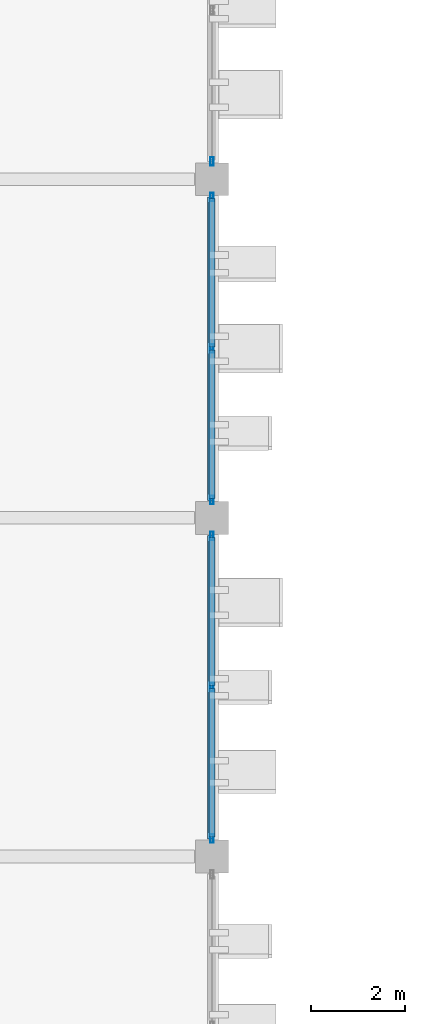
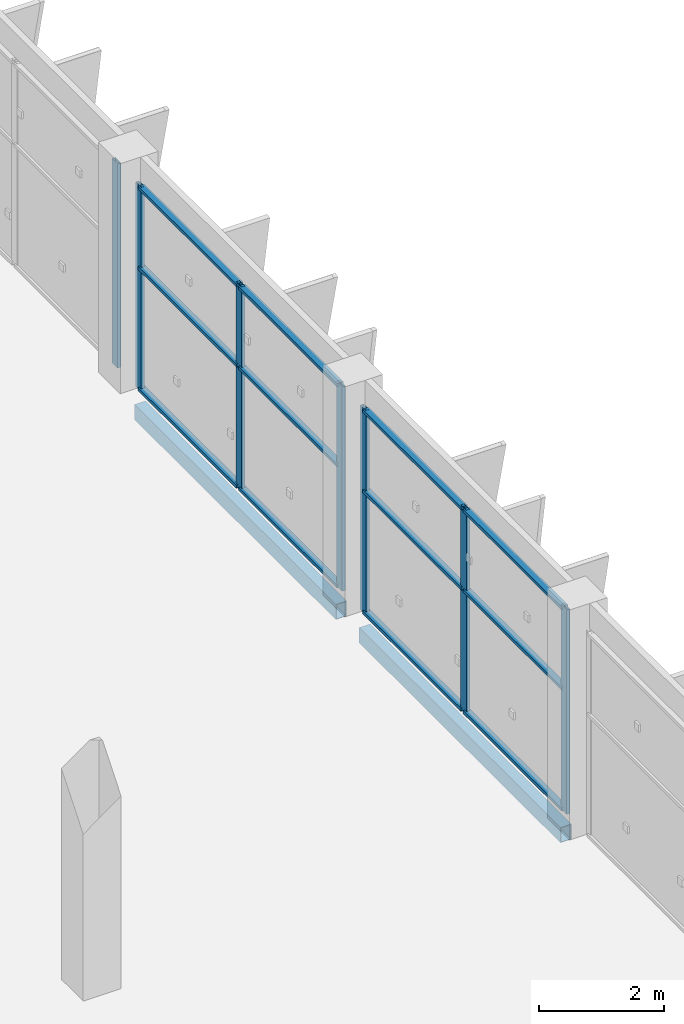
# One storey, part 54 of 151: 19 members, 2 beams, 3 elements without a shape of their own.
"""IFC4 building model written with IfcOpenShell, lengths in metres."""

import ifcopenshell
import ifcopenshell.guid

model = None  # the IFC model being written
_history = None  # IfcOwnerHistory: only IFC2X3 demands one
_inside = {}  # id of a spatial element -> (the spatial element, [elements in it])
_under = {}  # id of a project, library or spatial element -> (it, [spatial elements below it])
_declared = {}  # id of a project -> (the project, [libraries it declares])
_typed = {}  # id of a type object -> (the type object, [elements of that type])
_made_of = {}  # id of a material, layer set ... -> (it, [elements and type objects made of it])


def new_model(schema):
    """Start an empty IFC model of exactly this schema.

    Asked for "IFC4X3", IfcOpenShell would pick the latest addendum, in which some entities
    have other attributes; the version numbers below select the first issue.
    IFC2X3 requires an IfcOwnerHistory on every rooted entity: one is made here for all.
    """
    global model, _history
    if schema == "IFC4X3":
        model = ifcopenshell.file(schema_version=(4, 3, 0, 0))
    else:
        model = ifcopenshell.file(schema=schema)
    _inside.clear()
    _under.clear()
    _declared.clear()
    _typed.clear()
    _made_of.clear()
    _history = None
    if model.schema == "IFC2X3":
        org = make("IfcOrganization", Name="unknown")
        user = make(
            "IfcPersonAndOrganization",
            ThePerson=make("IfcPerson", FamilyName="unknown"),
            TheOrganization=org,
        )
        app = make(
            "IfcApplication",
            ApplicationDeveloper=org,
            Version="unknown",
            ApplicationFullName="unknown",
            ApplicationIdentifier="unknown",
        )
        _history = make(
            "IfcOwnerHistory",
            OwningUser=user,
            OwningApplication=app,
            ChangeAction="ADDED",
            CreationDate=0,
        )
    return model


def make(cls, **values):
    """One entity of the class cls with the attributes given. An attribute that is None is left unset."""
    return model.create_entity(
        cls, **{name: value for name, value in values.items() if value is not None}
    )


def rooted(cls, **values):
    """An entity with a GlobalId (a new one), such as an element, a storey or a relation."""
    return make(cls, GlobalId=ifcopenshell.guid.new(), OwnerHistory=_history, **values)


def si_unit(unit_type, name, prefix=None):
    """IfcSIUnit, for example si_unit("LENGTHUNIT", "METRE", prefix="MILLI")."""
    return make("IfcSIUnit", UnitType=unit_type, Prefix=prefix, Name=name)


def assignment(units):
    """IfcUnitAssignment: the units of a project."""
    return None if units is None else make("IfcUnitAssignment", Units=units)


def point(xyz):
    """IfcCartesianPoint."""
    return None if xyz is None else make("IfcCartesianPoint", Coordinates=xyz)


def direction(xyz):
    """IfcDirection."""
    return None if xyz is None else make("IfcDirection", DirectionRatios=xyz)


def frame(location, z_axis=None, x_axis=None):
    """IfcAxis2Placement3D, a coordinate frame: its origin and axes. An axis left out is left unset."""
    return make(
        "IfcAxis2Placement3D",
        Location=point(location),
        Axis=direction(z_axis),
        RefDirection=direction(x_axis),
    )


def frame_2d(location, x_axis=None):
    """IfcAxis2Placement2D, a coordinate frame in the plane: its origin and x axis."""
    return make(
        "IfcAxis2Placement2D", Location=point(location), RefDirection=direction(x_axis)
    )


def origin():
    """The frame at (0, 0, 0) with its axes left unset."""
    return frame((0.0, 0.0, 0.0))


def origin_2d():
    """The frame at (0, 0) in the plane with its x axis left unset."""
    return frame_2d((0.0, 0.0))


def place(relative_to, where):
    """IfcLocalPlacement: puts the frame where relative to a parent placement (None: the world)."""
    return make(
        "IfcLocalPlacement", PlacementRelTo=relative_to, RelativePlacement=where
    )


def context(
    kind, dimensions, precision=None, world=None, true_north=None, identifier=None
):
    """IfcGeometricRepresentationContext, for example the 3D "Model" context."""
    return make(
        "IfcGeometricRepresentationContext",
        ContextIdentifier=identifier,
        ContextType=kind,
        CoordinateSpaceDimension=dimensions,
        Precision=precision,
        WorldCoordinateSystem=world,
        TrueNorth=true_north,
    )


def subcontext(parent, identifier, kind, view, scale=None):
    """IfcGeometricRepresentationSubContext, for example "Body" below "Model"."""
    return make(
        "IfcGeometricRepresentationSubContext",
        ContextIdentifier=identifier,
        ContextType=kind,
        ParentContext=parent,
        TargetScale=scale,
        TargetView=view,
    )


def project(units=None, contexts=None):
    """IfcProject with its units and contexts."""
    return rooted(
        "IfcProject",
        Name="project",
        RepresentationContexts=contexts,
        UnitsInContext=assignment(units),
    )


def spatial(cls, under=None, at=None, **own):
    """A site, building, storey or space (cls), placed at a placement, below another one or the project."""
    s = rooted(cls, ObjectPlacement=at, **own)
    if under is not None:
        _under.setdefault(under.id(), (under, []))[1].append(s)
    return s


def profile(cls, at=None, kind="AREA", **sizes):
    """A parametric profile (cls). Its sizes go by their IFC names, for example OverallWidth=200.0."""
    return make(cls, ProfileType=kind, Position=at, **sizes)


def hollow_rectangle(**sizes):
    """IfcRectangleHollowProfileDef."""
    return profile("IfcRectangleHollowProfileDef", **sizes)


def extrude(swept, where, along, depth):
    """IfcExtrudedAreaSolid: the profile swept, set in the frame where, extruded along a direction by depth."""
    return make(
        "IfcExtrudedAreaSolid",
        SweptArea=swept,
        Position=where,
        ExtrudedDirection=direction(along),
        Depth=depth,
    )


def shape(context_of_items, identifier, shape_type, items):
    """IfcShapeRepresentation: the items that make up one representation, for example the "Body"."""
    return make(
        "IfcShapeRepresentation",
        ContextOfItems=context_of_items,
        RepresentationIdentifier=identifier,
        RepresentationType=shape_type,
        Items=items,
    )


def material(Name=None, Category=None):
    """IfcMaterial."""
    return make("IfcMaterial", Name=Name, Category=Category)


def layer(
    of_material, thickness, ventilated=None, Name=None, Category=None, Priority=None
):
    """IfcMaterialLayer: one layer of a wall or slab, of a material (None: an air gap)."""
    return make(
        "IfcMaterialLayer",
        Material=of_material,
        LayerThickness=thickness,
        IsVentilated=ventilated,
        Name=Name,
        Category=Category,
        Priority=Priority,
    )


def layer_set(layers, Name=None):
    """IfcMaterialLayerSet."""
    return make("IfcMaterialLayerSet", MaterialLayers=layers, LayerSetName=Name)


def material_profile(
    of_material, cross_section, Name=None, Category=None, Priority=None
):
    """IfcMaterialProfile: a cross section and its material."""
    return make(
        "IfcMaterialProfile",
        Name=Name,
        Material=of_material,
        Profile=cross_section,
        Priority=Priority,
        Category=Category,
    )


def profile_set(profiles, Name=None, composite=None):
    """IfcMaterialProfileSet."""
    return make(
        "IfcMaterialProfileSet",
        Name=Name,
        MaterialProfiles=profiles,
        CompositeProfile=composite,
    )


def made_of(thing, what):
    """Note that an element or type object is made of a material, layer set ...; save() writes the relation."""
    if what is not None:
        _made_of.setdefault(what.id(), (what, []))[1].append(thing)
    return thing


def type_object(cls, material=None, **own):
    """A type object (cls), such as IfcWallType, which elements share."""
    return made_of(rooted(cls, **own), material)


def element(
    cls,
    number,
    at=None,
    inside=None,
    cuts=None,
    type_object=None,
    material=None,
    context=None,
    identifier="Body",
    shape_type=None,
    held_by="IfcProductDefinitionShape",
    body=None,
    shapes=None,
    **own,
):
    """One element of the class cls, such as IfcWall. Its Tag is "e" and its number.

    at: its placement. inside: the storey or other place that contains it. cuts: it is an
    opening in that element (IfcRelVoidsElement). A single representation is given by context,
    identifier, shape_type and body (its items); several are given by shapes. held_by: the class
    of the entity that holds the representations. save() writes the other relations.
    """
    e = rooted(cls, Tag="e%d" % number, ObjectPlacement=at, **own)
    if body is not None:
        shapes = [shape(context, identifier, shape_type, body)]
    if shapes is not None:
        e.Representation = make(held_by, Representations=shapes)
    if inside is not None:
        _inside.setdefault(inside.id(), (inside, []))[1].append(e)
    if cuts is not None:
        rooted(
            "IfcRelVoidsElement", RelatingBuildingElement=cuts, RelatedOpeningElement=e
        )
    if type_object is not None:
        _typed.setdefault(type_object.id(), (type_object, []))[1].append(e)
    return made_of(e, material)


def aggregate(whole, parts):
    """IfcRelAggregates: a whole, such as a stair, and the parts it consists of."""
    return rooted("IfcRelAggregates", RelatingObject=whole, RelatedObjects=parts)


def save(model, path):
    """Write the relations noted so far, then the file.

    IfcRelAggregates (storeys below a building ...), IfcRelContainedInSpatialStructure (elements
    in a storey), IfcRelDefinesByType, IfcRelAssociatesMaterial and IfcRelDeclares: one each for
    every whole, place, type object, material and project.
    """
    for whole, parts in _under.values():
        aggregate(whole, parts)
    for where, things in _inside.values():
        rooted(
            "IfcRelContainedInSpatialStructure",
            RelatedElements=things,
            RelatingStructure=where,
        )
    for kind, things in _typed.values():
        rooted("IfcRelDefinesByType", RelatedObjects=things, RelatingType=kind)
    for what, things in _made_of.values():
        rooted("IfcRelAssociatesMaterial", RelatedObjects=things, RelatingMaterial=what)
    for by, libraries in _declared.values():
        rooted("IfcRelDeclares", RelatingContext=by, RelatedDefinitions=libraries)
    model.write(path)


model = new_model("IFC4")

# Units and contexts
model_context = context("Model", 3, precision=1e-05, world=origin(), true_north=direction((0.0, 1.0)))
body_context = subcontext(model_context, "Body", "Model", "MODEL_VIEW")
ifc_project = project(units=[si_unit("LENGTHUNIT", "METRE"), si_unit("AREAUNIT", "SQUARE_METRE"), si_unit("VOLUMEUNIT", "CUBIC_METRE"), si_unit("PLANEANGLEUNIT", "RADIAN"), si_unit("MASSUNIT", "GRAM", prefix="KILO")], contexts=[model_context])

# Site, building, storey
site_placement = place(None, origin())
site = spatial("IfcSite", under=ifc_project, at=site_placement, CompositionType="ELEMENT")
building_placement = place(site_placement, origin())
building = spatial("IfcBuilding", under=site, at=building_placement, Name="Celestram Park Convention Centre", CompositionType="ELEMENT")
storey_placement = place(building_placement, frame((0.0, 0.0, 10.800048828125)))
storey = spatial("IfcBuildingStorey", under=building, at=storey_placement, Name="L02", CompositionType="ELEMENT", Elevation=10.800048828125)

# Curtain wall, member
ifc_material_1 = material(Name="Anodised Aluminium Alloy 6063-T6", Category="aluminium")
ifc_layer = layer(ifc_material_1, 0.179931640625)
ifc_layer_set = layer_set([ifc_layer], Name="Anodised Aluminium Alloy 6063-T6")
curtain_wall_type = type_object("IfcCurtainWallType", Name="ARC-CW-650X400", PredefinedType="NOTDEFINED", material=ifc_layer_set)
curtain_wall_1_placement = place(storey_placement, origin())
curtain_wall_1 = element("IfcCurtainWall", 1, at=curtain_wall_1_placement, inside=storey, type_object=curtain_wall_type, Name="Unitised curtain wall CU-L02-184", PredefinedType="NOTDEFINED")
ifc_material_profile_1 = material_profile(ifc_material_1, hollow_rectangle(XDim=0.06494140625, YDim=0.179931640625, WallThickness=0.00390625, at=origin_2d()), Name="ALU65X180X4")
ifc_profile_set_1 = profile_set([ifc_material_profile_1], Name="Anodised Aluminium Alloy 6063-T6")
member_type_1 = type_object("IfcMemberType", Name="ARC-CWM-150", PredefinedType="MULLION", material=ifc_profile_set_1)
member_1_placement = place(storey_placement, frame((144.0, 93.98046875, 0.0), z_axis=(0.0, 0.0, 1.0), x_axis=(1.0, 0.0, 0.0)))
member_1 = element("IfcMember", 2, at=member_1_placement, type_object=member_type_1, Name="CW-65X40 mullion 3", PredefinedType="MULLION", context=body_context, shape_type="SweptSolid", body=[
    extrude(hollow_rectangle(XDim=0.06494140625, YDim=0.179931640625, WallThickness=0.00390625, at=origin_2d()), origin(), (0.0, 0.0, 1.0), 4.0),
])
aggregate(curtain_wall_1, [member_1])

# Curtain wall, members
curtain_wall_2_placement = place(storey_placement, origin())
curtain_wall_2 = element("IfcCurtainWall", 3, at=curtain_wall_2_placement, inside=storey, type_object=curtain_wall_type, Name="Unitised curtain wall CU-L02-185", PredefinedType="NOTDEFINED")
member_2_placement = place(storey_placement, frame((144.0, 93.219482421875, 0.0), z_axis=(0.0, 0.0, 1.0), x_axis=(1.0, 0.0, 0.0)))
member_2 = element("IfcMember", 4, at=member_2_placement, type_object=member_type_1, Name="CW-65X40 mullion 1", PredefinedType="MULLION", context=body_context, shape_type="SweptSolid", body=[
    extrude(hollow_rectangle(XDim=0.06494140625, YDim=0.179931640625, WallThickness=0.00390625, at=origin_2d()), origin(), (0.0, 0.0, 1.0), 4.0),
])
member_3_placement = place(storey_placement, frame((144.0, 90.0, 0.0), z_axis=(0.0, 0.0, 1.0), x_axis=(1.0, 0.0, 0.0)))
member_3 = element("IfcMember", 5, at=member_3_placement, type_object=member_type_1, Name="CW-65X40 mullion 2", PredefinedType="MULLION", context=body_context, shape_type="SweptSolid", body=[
    extrude(hollow_rectangle(XDim=0.06494140625, YDim=0.179931640625, WallThickness=0.00390625, at=origin_2d()), origin(), (0.0, 0.0, 1.0), 4.0),
])
member_4_placement = place(storey_placement, frame((144.0, 86.780517578125, 0.0), z_axis=(0.0, 0.0, 1.0), x_axis=(1.0, 0.0, 0.0)))
member_4 = element("IfcMember", 6, at=member_4_placement, type_object=member_type_1, Name="CW-65X40 mullion 3", PredefinedType="MULLION", context=body_context, shape_type="SweptSolid", body=[
    extrude(hollow_rectangle(XDim=0.06494140625, YDim=0.179931640625, WallThickness=0.00390625, at=origin_2d()), origin(), (0.0, 0.0, 1.0), 4.0),
])

curtain_wall_3_placement = place(storey_placement, origin())
curtain_wall_3 = element("IfcCurtainWall", 7, at=curtain_wall_3_placement, inside=storey, type_object=curtain_wall_type, Name="Unitised curtain wall CU-L02-186", PredefinedType="NOTDEFINED")
member_5_placement = place(storey_placement, frame((144.0, 86.01953125, 0.0), z_axis=(0.0, 0.0, 1.0), x_axis=(1.0, 0.0, 0.0)))
member_5 = element("IfcMember", 8, at=member_5_placement, type_object=member_type_1, Name="CW-65X40 mullion 1", PredefinedType="MULLION", context=body_context, shape_type="SweptSolid", body=[
    extrude(hollow_rectangle(XDim=0.06494140625, YDim=0.179931640625, WallThickness=0.00390625, at=origin_2d()), origin(), (0.0, 0.0, 1.0), 4.0),
])
member_6_placement = place(storey_placement, frame((144.0, 82.800048828125, 0.0), z_axis=(0.0, 0.0, 1.0), x_axis=(1.0, 0.0, 0.0)))
member_6 = element("IfcMember", 9, at=member_6_placement, type_object=member_type_1, Name="CW-65X40 mullion 2", PredefinedType="MULLION", context=body_context, shape_type="SweptSolid", body=[
    extrude(hollow_rectangle(XDim=0.06494140625, YDim=0.179931640625, WallThickness=0.00390625, at=origin_2d()), origin(), (0.0, 0.0, 1.0), 4.0),
])
member_7_placement = place(storey_placement, frame((144.0, 79.58056640625, 0.0), z_axis=(0.0, 0.0, 1.0), x_axis=(1.0, 0.0, 0.0)))
member_7 = element("IfcMember", 10, at=member_7_placement, type_object=member_type_1, Name="CW-65X40 mullion 3", PredefinedType="MULLION", context=body_context, shape_type="SweptSolid", body=[
    extrude(hollow_rectangle(XDim=0.06494140625, YDim=0.179931640625, WallThickness=0.00390625, at=origin_2d()), origin(), (0.0, 0.0, 1.0), 4.0),
])

# Member
ifc_material_profile_2 = material_profile(ifc_material_1, hollow_rectangle(XDim=0.1201171875, YDim=0.06005859375, WallThickness=0.0029296875, at=origin_2d()), Name="ALU120X60X3")
ifc_profile_set_2 = profile_set([ifc_material_profile_2], Name="Anodised Aluminium Alloy 6063-T6")
member_type_2 = type_object("IfcMemberType", Name="ARC-CWT-120", PredefinedType="USERDEFINED", material=ifc_profile_set_2)
member_8_placement = place(storey_placement, frame((144.0, 93.18701171875, 0.030029296875), z_axis=(0.0, -1.0, 0.0), x_axis=(1.0, 0.0, 0.0)))
member_8 = element("IfcMember", 11, at=member_8_placement, type_object=member_type_2, Name="CW-65X40 transom 1.1", ObjectType="TRANSOM", PredefinedType="USERDEFINED", context=body_context, shape_type="SweptSolid", body=[
    extrude(hollow_rectangle(XDim=0.1201171875, YDim=0.06005859375, WallThickness=0.0029296875, at=origin_2d()), origin(), (0.0, 0.0, 1.0), 3.154541015625),
])

member_9_placement = place(storey_placement, frame((144.0, 93.18701171875, 2.39990234375), z_axis=(0.0, -1.0, 0.0), x_axis=(1.0, 0.0, 0.0)))
member_9 = element("IfcMember", 12, at=member_9_placement, type_object=member_type_2, Name="CW-65X40 transom 1.2", ObjectType="TRANSOM", PredefinedType="USERDEFINED", context=body_context, shape_type="SweptSolid", body=[
    extrude(hollow_rectangle(XDim=0.1201171875, YDim=0.06005859375, WallThickness=0.0029296875, at=origin_2d()), origin(), (0.0, 0.0, 1.0), 3.154541015625),
])

member_10_placement = place(storey_placement, frame((144.0, 93.18701171875, 3.969970703125), z_axis=(0.0, -1.0, 0.0), x_axis=(1.0, 0.0, 0.0)))
member_10 = element("IfcMember", 13, at=member_10_placement, type_object=member_type_2, Name="CW-65X40 transom 1.3", ObjectType="TRANSOM", PredefinedType="USERDEFINED", context=body_context, shape_type="SweptSolid", body=[
    extrude(hollow_rectangle(XDim=0.1201171875, YDim=0.06005859375, WallThickness=0.0029296875, at=origin_2d()), origin(), (0.0, 0.0, 1.0), 3.154541015625),
])

member_11_placement = place(storey_placement, frame((144.0, 89.967529296875, 0.030029296875), z_axis=(0.0, -1.0, 0.0), x_axis=(1.0, 0.0, 0.0)))
member_11 = element("IfcMember", 14, at=member_11_placement, type_object=member_type_2, Name="CW-65X40 transom 2.1", ObjectType="TRANSOM", PredefinedType="USERDEFINED", context=body_context, shape_type="SweptSolid", body=[
    extrude(hollow_rectangle(XDim=0.1201171875, YDim=0.06005859375, WallThickness=0.0029296875, at=origin_2d()), origin(), (0.0, 0.0, 1.0), 3.154541015625),
])

member_12_placement = place(storey_placement, frame((144.0, 89.967529296875, 2.39990234375), z_axis=(0.0, -1.0, 0.0), x_axis=(1.0, 0.0, 0.0)))
member_12 = element("IfcMember", 15, at=member_12_placement, type_object=member_type_2, Name="CW-65X40 transom 2.2", ObjectType="TRANSOM", PredefinedType="USERDEFINED", context=body_context, shape_type="SweptSolid", body=[
    extrude(hollow_rectangle(XDim=0.1201171875, YDim=0.06005859375, WallThickness=0.0029296875, at=origin_2d()), origin(), (0.0, 0.0, 1.0), 3.154541015625),
])

member_13_placement = place(storey_placement, frame((144.0, 89.967529296875, 3.969970703125), z_axis=(0.0, -1.0, 0.0), x_axis=(1.0, 0.0, 0.0)))
member_13 = element("IfcMember", 16, at=member_13_placement, type_object=member_type_2, Name="CW-65X40 transom 2.3", ObjectType="TRANSOM", PredefinedType="USERDEFINED", context=body_context, shape_type="SweptSolid", body=[
    extrude(hollow_rectangle(XDim=0.1201171875, YDim=0.06005859375, WallThickness=0.0029296875, at=origin_2d()), origin(), (0.0, 0.0, 1.0), 3.154541015625),
])

aggregate(curtain_wall_2, [member_2, member_3, member_4, member_8, member_9, member_10, member_11, member_12, member_13])

member_14_placement = place(storey_placement, frame((144.0, 85.987060546875, 0.030029296875), z_axis=(0.0, -1.0, 0.0), x_axis=(1.0, 0.0, 0.0)))
member_14 = element("IfcMember", 17, at=member_14_placement, type_object=member_type_2, Name="CW-65X40 transom 1.1", ObjectType="TRANSOM", PredefinedType="USERDEFINED", context=body_context, shape_type="SweptSolid", body=[
    extrude(hollow_rectangle(XDim=0.1201171875, YDim=0.06005859375, WallThickness=0.0029296875, at=origin_2d()), origin(), (0.0, 0.0, 1.0), 3.154541015625),
])

member_15_placement = place(storey_placement, frame((144.0, 85.987060546875, 2.39990234375), z_axis=(0.0, -1.0, 0.0), x_axis=(1.0, 0.0, 0.0)))
member_15 = element("IfcMember", 18, at=member_15_placement, type_object=member_type_2, Name="CW-65X40 transom 1.2", ObjectType="TRANSOM", PredefinedType="USERDEFINED", context=body_context, shape_type="SweptSolid", body=[
    extrude(hollow_rectangle(XDim=0.1201171875, YDim=0.06005859375, WallThickness=0.0029296875, at=origin_2d()), origin(), (0.0, 0.0, 1.0), 3.154541015625),
])

member_16_placement = place(storey_placement, frame((144.0, 85.987060546875, 3.969970703125), z_axis=(0.0, -1.0, 0.0), x_axis=(1.0, 0.0, 0.0)))
member_16 = element("IfcMember", 19, at=member_16_placement, type_object=member_type_2, Name="CW-65X40 transom 1.3", ObjectType="TRANSOM", PredefinedType="USERDEFINED", context=body_context, shape_type="SweptSolid", body=[
    extrude(hollow_rectangle(XDim=0.1201171875, YDim=0.06005859375, WallThickness=0.0029296875, at=origin_2d()), origin(), (0.0, 0.0, 1.0), 3.154541015625),
])

member_17_placement = place(storey_placement, frame((144.0, 82.767578125, 0.030029296875), z_axis=(0.0, -1.0, 0.0), x_axis=(1.0, 0.0, 0.0)))
member_17 = element("IfcMember", 20, at=member_17_placement, type_object=member_type_2, Name="CW-65X40 transom 2.1", ObjectType="TRANSOM", PredefinedType="USERDEFINED", context=body_context, shape_type="SweptSolid", body=[
    extrude(hollow_rectangle(XDim=0.1201171875, YDim=0.06005859375, WallThickness=0.0029296875, at=origin_2d()), origin(), (0.0, 0.0, 1.0), 3.154541015625),
])

member_18_placement = place(storey_placement, frame((144.0, 82.767578125, 2.39990234375), z_axis=(0.0, -1.0, 0.0), x_axis=(1.0, 0.0, 0.0)))
member_18 = element("IfcMember", 21, at=member_18_placement, type_object=member_type_2, Name="CW-65X40 transom 2.2", ObjectType="TRANSOM", PredefinedType="USERDEFINED", context=body_context, shape_type="SweptSolid", body=[
    extrude(hollow_rectangle(XDim=0.1201171875, YDim=0.06005859375, WallThickness=0.0029296875, at=origin_2d()), origin(), (0.0, 0.0, 1.0), 3.154541015625),
])

member_19_placement = place(storey_placement, frame((144.0, 82.767578125, 3.969970703125), z_axis=(0.0, -1.0, 0.0), x_axis=(1.0, 0.0, 0.0)))
member_19 = element("IfcMember", 22, at=member_19_placement, type_object=member_type_2, Name="CW-65X40 transom 2.3", ObjectType="TRANSOM", PredefinedType="USERDEFINED", context=body_context, shape_type="SweptSolid", body=[
    extrude(hollow_rectangle(XDim=0.1201171875, YDim=0.06005859375, WallThickness=0.0029296875, at=origin_2d()), origin(), (0.0, 0.0, 1.0), 3.154541015625),
])

aggregate(curtain_wall_3, [member_5, member_6, member_7, member_14, member_15, member_16, member_17, member_18, member_19])

# Beams
ifc_material_2 = material(Name="Steel ASTM A500 Grade C", Category="steel")
ifc_material_profile_3 = material_profile(ifc_material_2, hollow_rectangle(XDim=0.199951171875, YDim=0.300048828125, WallThickness=0.011962890625, at=origin_2d()), Name="HSS300X200X12")
ifc_profile_set_3 = profile_set([ifc_material_profile_3], Name="Steel ASTM A500 Grade C")
beam_type = type_object("IfcBeamType", Name="STR-SPN-HSS300X200", PredefinedType="SPANDREL", material=ifc_profile_set_3)
for number, where, z_axis, x_axis, name in (
    (23, (144.0, 79.572998046875, -0.429931640625), (0.0, 1.0, 0.0), (-1.0, 0.0, 0.0), "Primary Y-girder BG-L02-0249"),
    (24, (144.0, 86.77294921875, -0.429931640625), (0.0, 1.0, 0.0), (-1.0, 0.0, 0.0), "Primary Y-girder BG-L02-0250"),
):
    element("IfcBeam", number, at=place(storey_placement, frame(where, z_axis=z_axis, x_axis=x_axis)), inside=storey, type_object=beam_type, Name=name, PredefinedType="SPANDREL", context=body_context, shape_type="SweptSolid", body=[
        extrude(hollow_rectangle(XDim=0.199951171875, YDim=0.300048828125, WallThickness=0.011962890625, at=origin_2d()), origin(), (0.0, 0.0, 1.0), 6.4541015625),
    ])

save(model, "model.ifc")
